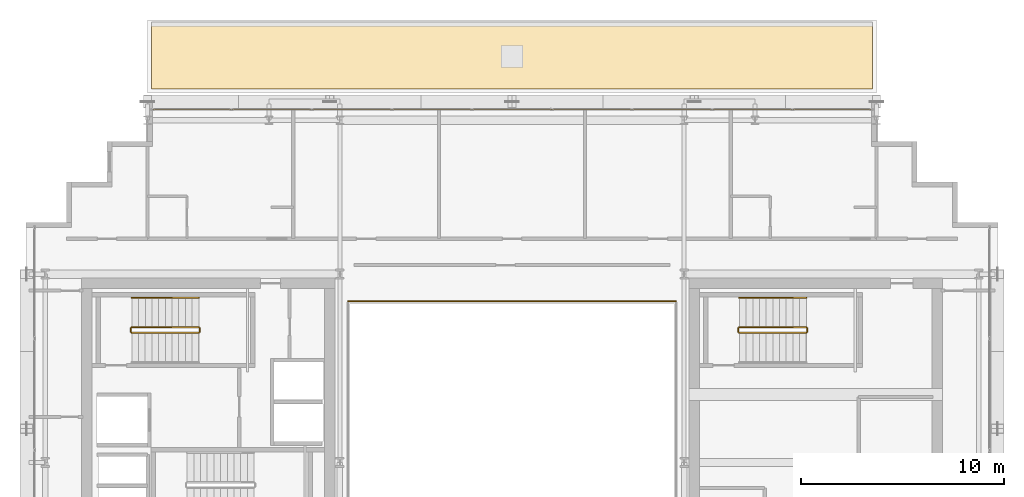
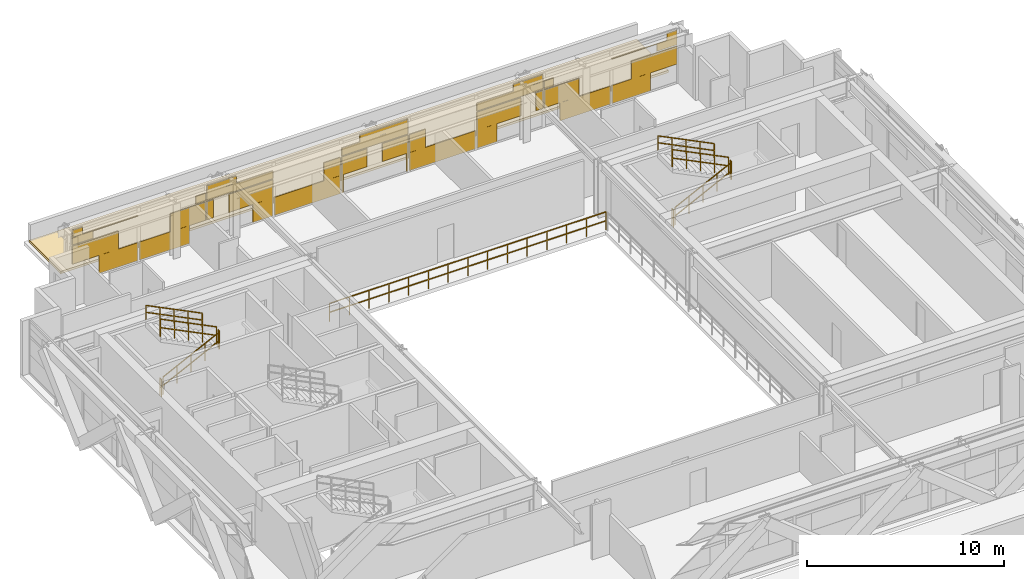
# One storey, part 34 of 34: 11 railings, 2 coverings.
"""IFC4 building model written with IfcOpenShell, lengths in metres."""

from ifc_helpers import new_model, si_unit, direction, frame, origin, origin_2d, place, context, subcontext, project, spatial, polyline, rectangle, outline, extrude, material, layer, layer_set, type_object, element, save


model = new_model("IFC4")

# Units and contexts
model_context = context("Model", 3, precision=1e-05, world=origin(), true_north=direction((0.0, 1.0)))
body_context = subcontext(model_context, "Body", "Model", "MODEL_VIEW")
ifc_project = project(units=[si_unit("LENGTHUNIT", "METRE"), si_unit("AREAUNIT", "SQUARE_METRE"), si_unit("VOLUMEUNIT", "CUBIC_METRE"), si_unit("PLANEANGLEUNIT", "RADIAN"), si_unit("MASSUNIT", "GRAM", prefix="KILO")], contexts=[model_context])

# Site, building, storey
site_placement = place(None, origin())
site = spatial("IfcSite", under=ifc_project, at=site_placement, CompositionType="ELEMENT")
building_placement = place(site_placement, origin())
building = spatial("IfcBuilding", under=site, at=building_placement, Name="Ocotamira Hotel", CompositionType="ELEMENT")
storey_placement = place(building_placement, frame((0.0, 0.0, 163.199951171875)))
storey = spatial("IfcBuildingStorey", under=building, at=storey_placement, Name="L40", CompositionType="ELEMENT", Elevation=163.199951171875)

# Coverings
ifc_material_1 = material(Name="Insulated pale-metal aluminium spandrel panel", Category="aluminium")
ifc_layer_1 = layer(ifc_material_1, 0.044921875)
ifc_layer_set_1 = layer_set([ifc_layer_1], Name="Insulated pale-metal aluminium spandrel panel")
covering_type_1 = type_object("IfcCoveringType", Name="COV-INFILL-45", PredefinedType="CLADDING", material=ifc_layer_set_1)
covering_1_placement = place(storey_placement, origin())
element("IfcCovering", 1, at=covering_1_placement, inside=storey, type_object=covering_type_1, Name="L40 Curtain Wall Infill CW-4 CW-L40-N", PredefinedType="CLADDING", context=body_context, shape_type="SweptSolid", body=[
    extrude(rectangle(XDim=2.68701171875, YDim=0.044921875, at=origin_2d()), frame((15.6240234375, 45.580078125, 1.1943359375), z_axis=(0.0, 0.0, 1.0), x_axis=(1.0, 0.0, 0.0)), (0.0, 0.0, 1.0), 1.11767578125),
    extrude(rectangle(XDim=2.26708984375, YDim=0.044921875, at=origin_2d()), frame((16.9814453125, 45.580078125, 0.07568359375), z_axis=(0.0, 0.0, 1.0), x_axis=(1.0, 0.0, 0.0)), (0.0, 0.0, 1.0), 1.117919921875),
    extrude(rectangle(XDim=1.19482421875, YDim=0.044921875, at=origin_2d()), frame((14.8779296875, 45.580078125, 2.38818359375), z_axis=(0.0, 0.0, 1.0), x_axis=(1.0, 0.0, 0.0)), (0.0, 0.0, 1.0), 0.442626953125),
    extrude(rectangle(XDim=3.834716796875, YDim=0.044921875, at=origin_2d()), frame((16.19775390625, 45.580078125, 2.83154296875), z_axis=(0.0, 0.0, 1.0), x_axis=(1.0, 0.0, 0.0)), (0.0, 0.0, 1.0), 0.0302734375),
    extrude(rectangle(XDim=0.601318359375, YDim=0.044921875, at=origin_2d()), frame((14.581298828125, 45.580078125, 2.863037109375), z_axis=(0.0, 0.0, 1.0), x_axis=(1.0, 0.0, 0.0)), (0.0, 0.0, 1.0), 0.431640625),
    extrude(rectangle(XDim=2.955810546875, YDim=0.044921875, at=origin_2d()), frame((19.674072265625, 45.580078125, 0.07568359375), z_axis=(0.0, 0.0, 1.0), x_axis=(1.0, 0.0, 0.0)), (0.0, 0.0, 1.0), 1.117919921875),
    extrude(rectangle(XDim=2.0380859375, YDim=0.044921875, at=origin_2d()), frame((21.051513671875, 45.580078125, 1.1943359375), z_axis=(0.0, 0.0, 1.0), x_axis=(1.0, 0.0, 0.0)), (0.0, 0.0, 1.0), 1.11767578125),
    extrude(rectangle(XDim=0.5458984375, YDim=0.044921875, at=origin_2d()), frame((21.797607421875, 45.580078125, 2.38818359375), z_axis=(0.0, 0.0, 1.0), x_axis=(1.0, 0.0, 0.0)), (0.0, 0.0, 1.0), 0.473876953125),
    extrude(rectangle(XDim=0.398681640625, YDim=0.044921875, at=origin_2d()), frame((22.35107421875, 45.580078125, 1.1943359375), z_axis=(0.0, 0.0, 1.0), x_axis=(1.0, 0.0, 0.0)), (0.0, 0.0, 1.0), 1.11767578125),
    extrude(rectangle(XDim=2.57666015625, YDim=0.044921875, at=origin_2d()), frame((24.73779296875, 45.580078125, 1.1943359375), z_axis=(0.0, 0.0, 1.0), x_axis=(1.0, 0.0, 0.0)), (0.0, 0.0, 1.0), 1.11767578125),
    extrude(rectangle(XDim=1.177978515625, YDim=0.044921875, at=origin_2d()), frame((25.43701171875, 45.580078125, 0.07568359375), z_axis=(0.0, 0.0, 1.0), x_axis=(1.0, 0.0, 0.0)), (0.0, 0.0, 1.0), 1.117919921875),
    extrude(rectangle(XDim=3.87451171875, YDim=0.044921875, at=origin_2d()), frame((24.0888671875, 45.580078125, 2.38818359375), z_axis=(0.0, 0.0, 1.0), x_axis=(1.0, 0.0, 0.0)), (0.0, 0.0, 1.0), 0.473876953125),
    extrude(rectangle(XDim=1.730224609375, YDim=0.044921875, at=origin_2d()), frame((23.0166015625, 45.580078125, 2.863037109375), z_axis=(0.0, 0.0, 1.0), x_axis=(1.0, 0.0, 0.0)), (0.0, 0.0, 1.0), 0.431640625),
    extrude(rectangle(XDim=3.87451171875, YDim=0.044921875, at=origin_2d()), frame((28.04443359375, 45.580078125, 0.07568359375), z_axis=(0.0, 0.0, 1.0), x_axis=(1.0, 0.0, 0.0)), (0.0, 0.0, 1.0), 1.117919921875),
    extrude(rectangle(XDim=0.94921875, YDim=0.044921875, at=origin_2d()), frame((29.507080078125, 45.580078125, 1.1943359375), z_axis=(0.0, 0.0, 1.0), x_axis=(1.0, 0.0, 0.0)), (0.0, 0.0, 1.0), 1.11767578125),
    extrude(rectangle(XDim=0.089111328125, YDim=0.044921875, at=origin_2d()), frame((30.107421875, 45.580078125, 0.07568359375), z_axis=(0.0, 0.0, 1.0), x_axis=(1.0, 0.0, 0.0)), (0.0, 0.0, 1.0), 1.117919921875),
    extrude(rectangle(XDim=1.48779296875, YDim=0.044921875, at=origin_2d()), frame((30.806640625, 45.580078125, 1.1943359375), z_axis=(0.0, 0.0, 1.0), x_axis=(1.0, 0.0, 0.0)), (0.0, 0.0, 1.0), 1.11767578125),
    extrude(rectangle(XDim=1.48779296875, YDim=0.044921875, at=origin_2d()), frame((33.193359375, 45.580078125, 1.1943359375), z_axis=(0.0, 0.0, 1.0), x_axis=(1.0, 0.0, 0.0)), (0.0, 0.0, 1.0), 1.11767578125),
    extrude(rectangle(XDim=0.089111328125, YDim=0.044921875, at=origin_2d()), frame((33.892578125, 45.580078125, 0.07568359375), z_axis=(0.0, 0.0, 1.0), x_axis=(1.0, 0.0, 0.0)), (0.0, 0.0, 1.0), 1.117919921875),
    extrude(rectangle(XDim=3.87451171875, YDim=0.044921875, at=origin_2d()), frame((32.0, 45.580078125, 2.38818359375), z_axis=(0.0, 0.0, 1.0), x_axis=(1.0, 0.0, 0.0)), (0.0, 0.0, 1.0), 0.473876953125),
    extrude(rectangle(XDim=2.819091796875, YDim=0.044921875, at=origin_2d()), frame((32.527587890625, 45.580078125, 2.863037109375), z_axis=(0.0, 0.0, 1.0), x_axis=(1.0, 0.0, 0.0)), (0.0, 0.0, 1.0), 0.431640625),
    extrude(rectangle(XDim=3.87451171875, YDim=0.044921875, at=origin_2d()), frame((35.95556640625, 45.580078125, 0.07568359375), z_axis=(0.0, 0.0, 1.0), x_axis=(1.0, 0.0, 0.0)), (0.0, 0.0, 1.0), 1.117919921875),
    extrude(rectangle(XDim=0.94921875, YDim=0.044921875, at=origin_2d()), frame((34.492919921875, 45.580078125, 1.1943359375), z_axis=(0.0, 0.0, 1.0), x_axis=(1.0, 0.0, 0.0)), (0.0, 0.0, 1.0), 1.11767578125),
    extrude(rectangle(XDim=1.177978515625, YDim=0.044921875, at=origin_2d()), frame((38.56298828125, 45.580078125, 0.07568359375), z_axis=(0.0, 0.0, 1.0), x_axis=(1.0, 0.0, 0.0)), (0.0, 0.0, 1.0), 1.117919921875),
    extrude(rectangle(XDim=2.57666015625, YDim=0.044921875, at=origin_2d()), frame((39.26220703125, 45.580078125, 1.1943359375), z_axis=(0.0, 0.0, 1.0), x_axis=(1.0, 0.0, 0.0)), (0.0, 0.0, 1.0), 1.11767578125),
    extrude(rectangle(XDim=0.398681640625, YDim=0.044921875, at=origin_2d()), frame((41.64892578125, 45.580078125, 1.1943359375), z_axis=(0.0, 0.0, 1.0), x_axis=(1.0, 0.0, 0.0)), (0.0, 0.0, 1.0), 1.11767578125),
    extrude(rectangle(XDim=3.87451171875, YDim=0.044921875, at=origin_2d()), frame((39.9111328125, 45.580078125, 2.38818359375), z_axis=(0.0, 0.0, 1.0), x_axis=(1.0, 0.0, 0.0)), (0.0, 0.0, 1.0), 0.473876953125),
    extrude(rectangle(XDim=1.730224609375, YDim=0.044921875, at=origin_2d()), frame((40.9833984375, 45.580078125, 2.863037109375), z_axis=(0.0, 0.0, 1.0), x_axis=(1.0, 0.0, 0.0)), (0.0, 0.0, 1.0), 0.431640625),
    extrude(rectangle(XDim=2.0380859375, YDim=0.044921875, at=origin_2d()), frame((42.948486328125, 45.580078125, 1.1943359375), z_axis=(0.0, 0.0, 1.0), x_axis=(1.0, 0.0, 0.0)), (0.0, 0.0, 1.0), 1.11767578125),
    extrude(rectangle(XDim=2.955810546875, YDim=0.044921875, at=origin_2d()), frame((44.325927734375, 45.580078125, 0.07568359375), z_axis=(0.0, 0.0, 1.0), x_axis=(1.0, 0.0, 0.0)), (0.0, 0.0, 1.0), 1.117919921875),
    extrude(rectangle(XDim=0.5458984375, YDim=0.044921875, at=origin_2d()), frame((42.202392578125, 45.580078125, 2.38818359375), z_axis=(0.0, 0.0, 1.0), x_axis=(1.0, 0.0, 0.0)), (0.0, 0.0, 1.0), 0.473876953125),
    extrude(rectangle(XDim=2.26708984375, YDim=0.044921875, at=origin_2d()), frame((47.0185546875, 45.580078125, 0.07568359375), z_axis=(0.0, 0.0, 1.0), x_axis=(1.0, 0.0, 0.0)), (0.0, 0.0, 1.0), 1.117919921875),
    extrude(rectangle(XDim=2.68701171875, YDim=0.044921875, at=origin_2d()), frame((48.3759765625, 45.580078125, 1.1943359375), z_axis=(0.0, 0.0, 1.0), x_axis=(1.0, 0.0, 0.0)), (0.0, 0.0, 1.0), 1.11767578125),
    extrude(rectangle(XDim=3.834716796875, YDim=0.044921875, at=origin_2d()), frame((47.80224609375, 45.580078125, 2.83154296875), z_axis=(0.0, 0.0, 1.0), x_axis=(1.0, 0.0, 0.0)), (0.0, 0.0, 1.0), 0.0302734375),
    extrude(rectangle(XDim=1.19482421875, YDim=0.044921875, at=origin_2d()), frame((49.1220703125, 45.580078125, 2.38818359375), z_axis=(0.0, 0.0, 1.0), x_axis=(1.0, 0.0, 0.0)), (0.0, 0.0, 1.0), 0.442626953125),
    extrude(rectangle(XDim=0.601318359375, YDim=0.044921875, at=origin_2d()), frame((49.418701171875, 45.580078125, 2.863037109375), z_axis=(0.0, 0.0, 1.0), x_axis=(1.0, 0.0, 0.0)), (0.0, 0.0, 1.0), 0.431640625),
])
ifc_material_2 = material(Name="High-albedo cool-roof elastomeric membrane and polyiso insulation", Category="concrete")
ifc_layer_2 = layer(ifc_material_2, 0.139892578125)
ifc_layer_set_2 = layer_set([ifc_layer_2], Name="High-albedo cool-roof elastomeric membrane and polyiso insulation")
covering_type_2 = type_object("IfcCoveringType", Name="COV-ROOF-140", PredefinedType="ROOFING", material=ifc_layer_set_2)
covering_2_placement = place(storey_placement, origin())
element("IfcCovering", 2, at=covering_2_placement, inside=storey, type_object=covering_type_2, Name="L40 Cool-Roof Membrane Z3N", PredefinedType="ROOFING", context=body_context, shape_type="SweptSolid", body=[
    extrude(outline(polyline([(14.199951171875, 46.60009765625), (49.800048828125, 46.60009765625), (49.800048828125, 49.800048828125), (14.199951171875, 49.800048828125), (14.199951171875, 46.60009765625)])), origin(), (0.0, 0.0, 1.0), 0.14013671875),
])

# Railings
ifc_material_3 = material(Name="Painted steel stair guardrail", Category="steel")
railing_type_1 = type_object("IfcRailingType", Name="RL-EDGE-1150", PredefinedType="GUARDRAIL", material=ifc_material_3)
railing_1_placement = place(storey_placement, frame((40.10009765625, 36.1201171875, 0.0)))
element("IfcRailing", 3, at=railing_1_placement, inside=storey, type_object=railing_type_1, Name="L40 Central Atrium Edge Guardrail N", PredefinedType="GUARDRAIL", context=body_context, shape_type="SweptSolid", body=[
    extrude(rectangle(XDim=0.048095703125, YDim=0.048095703125, at=origin_2d()), frame((0.0, 0.0, 1.1259765625), z_axis=(-1.0, 0.0, 0.0), x_axis=(0.0, -1.0, 0.0)), (0.0, 0.0, 1.0), 16.2001953125),
    extrude(rectangle(XDim=0.048095703125, YDim=0.048095703125, at=origin_2d()), frame((0.0, 0.0, 0.574951171875), z_axis=(-1.0, 0.0, 0.0), x_axis=(0.0, -1.0, 0.0)), (0.0, 0.0, 1.0), 16.2001953125),
    extrude(rectangle(XDim=0.0419921875, YDim=0.0419921875, at=origin_2d()), origin(), (0.0, 0.0, 1.0), 1.101806640625),
    extrude(rectangle(XDim=0.0419921875, YDim=0.0419921875, at=origin_2d()), frame((-1.1572265625, 0.0, 0.0)), (0.0, 0.0, 1.0), 1.101806640625),
    extrude(rectangle(XDim=0.0419921875, YDim=0.0419921875, at=origin_2d()), frame((-2.314208984375, 0.0, 0.0)), (0.0, 0.0, 1.0), 1.101806640625),
    extrude(rectangle(XDim=0.0419921875, YDim=0.0419921875, at=origin_2d()), frame((-3.471435546875, 0.0, 0.0)), (0.0, 0.0, 1.0), 1.101806640625),
    extrude(rectangle(XDim=0.0419921875, YDim=0.0419921875, at=origin_2d()), frame((-4.628662109375, 0.0, 0.0)), (0.0, 0.0, 1.0), 1.101806640625),
    extrude(rectangle(XDim=0.0419921875, YDim=0.0419921875, at=origin_2d()), frame((-5.785888671875, 0.0, 0.0)), (0.0, 0.0, 1.0), 1.101806640625),
    extrude(rectangle(XDim=0.0419921875, YDim=0.0419921875, at=origin_2d()), frame((-6.94287109375, 0.0, 0.0)), (0.0, 0.0, 1.0), 1.101806640625),
    extrude(rectangle(XDim=0.0419921875, YDim=0.0419921875, at=origin_2d()), frame((-8.10009765625, 0.0, 0.0)), (0.0, 0.0, 1.0), 1.101806640625),
    extrude(rectangle(XDim=0.0419921875, YDim=0.0419921875, at=origin_2d()), frame((-9.25732421875, 0.0, 0.0)), (0.0, 0.0, 1.0), 1.101806640625),
    extrude(rectangle(XDim=0.0419921875, YDim=0.0419921875, at=origin_2d()), frame((-10.414306640625, 0.0, 0.0)), (0.0, 0.0, 1.0), 1.101806640625),
    extrude(rectangle(XDim=0.0419921875, YDim=0.0419921875, at=origin_2d()), frame((-11.571533203125, 0.0, 0.0)), (0.0, 0.0, 1.0), 1.101806640625),
    extrude(rectangle(XDim=0.0419921875, YDim=0.0419921875, at=origin_2d()), frame((-12.728759765625, 0.0, 0.0)), (0.0, 0.0, 1.0), 1.101806640625),
    extrude(rectangle(XDim=0.0419921875, YDim=0.0419921875, at=origin_2d()), frame((-13.885986328125, 0.0, 0.0)), (0.0, 0.0, 1.0), 1.101806640625),
    extrude(rectangle(XDim=0.0419921875, YDim=0.0419921875, at=origin_2d()), frame((-15.04296875, 0.0, 0.0)), (0.0, 0.0, 1.0), 1.101806640625),
    extrude(rectangle(XDim=0.0419921875, YDim=0.0419921875, at=origin_2d()), frame((-16.2001953125, 0.0, 0.0)), (0.0, 0.0, 1.0), 1.101806640625),
])
ifc_material_4 = material(Name="Brushed stainless steel handrail", Category="steel")
railing_type_2 = type_object("IfcRailingType", Name="RL-HAND-900", PredefinedType="HANDRAIL", material=ifc_material_4)
for number, where, name in (
    (4, (16.530029296875, 36.280029296875, 2.12744140625), "L40 ST-2 stair handrail 2"),
    (5, (46.530029296875, 36.280029296875, 2.12744140625), "L40 ST-4 stair handrail 2"),
):
    element("IfcRailing", number, at=place(storey_placement, frame(where)), inside=storey, type_object=railing_type_2, Name=name, PredefinedType="HANDRAIL", context=body_context, shape_type="SweptSolid", body=[
        extrude(rectangle(XDim=0.048095703125, YDim=0.048095703125, at=origin_2d()), frame((0.0, 0.0, 0.8759765625), z_axis=(-0.895920123917, 0.0, 0.444215186098), x_axis=(0.0, -1.0, 0.0)), (0.0, 0.0, 1.0), 3.683349609375),
        extrude(rectangle(XDim=0.048095703125, YDim=0.048095703125, at=origin_2d()), frame((0.0, 0.0, 0.449951171875), z_axis=(-0.895920123917, 0.0, 0.444215186098), x_axis=(0.0, -1.0, 0.0)), (0.0, 0.0, 1.0), 3.683349609375),
        extrude(rectangle(XDim=0.0419921875, YDim=0.0419921875, at=origin_2d()), origin(), (0.0, 0.0, 1.0), 0.851806640625),
        extrude(rectangle(XDim=0.0419921875, YDim=0.0419921875, at=origin_2d()), frame((-0.824951171875, 0.0, 0.4091796875)), (0.0, 0.0, 1.0), 0.851806640625),
        extrude(rectangle(XDim=0.0419921875, YDim=0.0419921875, at=origin_2d()), frame((-1.64990234375, 0.0, 0.818115234375)), (0.0, 0.0, 1.0), 0.851806640625),
        extrude(rectangle(XDim=0.0419921875, YDim=0.0419921875, at=origin_2d()), frame((-2.47509765625, 0.0, 1.22705078125)), (0.0, 0.0, 1.0), 0.851806640625),
        extrude(rectangle(XDim=0.0419921875, YDim=0.0419921875, at=origin_2d()), frame((-3.300048828125, 0.0, 1.63623046875)), (0.0, 0.0, 1.0), 0.851806640625),
    ])
railing_type_3 = type_object("IfcRailingType", Name="RL-STAIR-1100", PredefinedType="GUARDRAIL", material=ifc_material_3)
railing_2_placement = place(storey_placement, frame((13.22998046875, 34.56005859375, 0.16357421875)))
element("IfcRailing", 6, at=railing_2_placement, inside=storey, type_object=railing_type_3, Name="L40 ST-2 stair guard 1", PredefinedType="GUARDRAIL", context=body_context, shape_type="SweptSolid", body=[
    extrude(rectangle(XDim=0.048095703125, YDim=0.048095703125, at=origin_2d()), frame((0.0, 0.0, 1.076171875), z_axis=(0.895893744519, 0.0, 0.4442683857), x_axis=(0.0, 1.0, 0.0)), (0.0, 0.0, 1.0), 3.68359375),
    extrude(rectangle(XDim=0.048095703125, YDim=0.048095703125, at=origin_2d()), frame((0.0, 0.0, 0.550048828125), z_axis=(0.895893744519, 0.0, 0.4442683857), x_axis=(0.0, 1.0, 0.0)), (0.0, 0.0, 1.0), 3.68359375),
    extrude(rectangle(XDim=0.0419921875, YDim=0.0419921875, at=origin_2d()), origin(), (0.0, 0.0, 1.0), 1.052001953125),
    extrude(rectangle(XDim=0.0419921875, YDim=0.0419921875, at=origin_2d()), frame((0.824951171875, 0.0, 0.4091796875)), (0.0, 0.0, 1.0), 1.052001953125),
    extrude(rectangle(XDim=0.0419921875, YDim=0.0419921875, at=origin_2d()), frame((1.64990234375, 0.0, 0.818359375)), (0.0, 0.0, 1.0), 1.052001953125),
    extrude(rectangle(XDim=0.0419921875, YDim=0.0419921875, at=origin_2d()), frame((2.47509765625, 0.0, 1.227294921875)), (0.0, 0.0, 1.0), 1.052001953125),
    extrude(rectangle(XDim=0.0419921875, YDim=0.0419921875, at=origin_2d()), frame((3.300048828125, 0.0, 1.636474609375)), (0.0, 0.0, 1.0), 1.052001953125),
])
railing_3_placement = place(storey_placement, frame((16.580078125, 34.610107421875, 1.800048828125)))
element("IfcRailing", 7, at=railing_3_placement, inside=storey, type_object=railing_type_3, Name="L40 ST-2 stair guard 2", PredefinedType="GUARDRAIL", context=body_context, shape_type="SweptSolid", body=[
    extrude(rectangle(XDim=0.048095703125, YDim=0.048095703125, at=origin_2d()), frame((0.0, 0.0, 1.076171875), z_axis=(0.0, 1.0, 0.0), x_axis=(-1.0, 0.0, 0.0)), (0.0, 0.0, 1.0), 0.159912109375),
    extrude(rectangle(XDim=0.048095703125, YDim=0.048095703125, at=origin_2d()), frame((0.0, 0.0, 0.550048828125), z_axis=(0.0, 1.0, 0.0), x_axis=(-1.0, 0.0, 0.0)), (0.0, 0.0, 1.0), 0.159912109375),
    extrude(rectangle(XDim=0.0419921875, YDim=0.0419921875, at=origin_2d()), origin(), (0.0, 0.0, 1.0), 1.052001953125),
    extrude(rectangle(XDim=0.0419921875, YDim=0.0419921875, at=origin_2d()), frame((0.0, 0.159912109375, 0.0)), (0.0, 0.0, 1.0), 1.052001953125),
])
railing_4_placement = place(storey_placement, frame((16.530029296875, 34.820068359375, 1.963623046875)))
element("IfcRailing", 8, at=railing_4_placement, inside=storey, type_object=railing_type_3, Name="L40 ST-2 stair guard 3", PredefinedType="GUARDRAIL", context=body_context, shape_type="SweptSolid", body=[
    extrude(rectangle(XDim=0.048095703125, YDim=0.048095703125, at=origin_2d()), frame((0.0, 0.0, 1.076171875), z_axis=(-0.895893744519, 0.0, 0.4442683857), x_axis=(0.0, -1.0, 0.0)), (0.0, 0.0, 1.0), 3.68359375),
    extrude(rectangle(XDim=0.048095703125, YDim=0.048095703125, at=origin_2d()), frame((0.0, 0.0, 0.550048828125), z_axis=(-0.895893744519, 0.0, 0.4442683857), x_axis=(0.0, -1.0, 0.0)), (0.0, 0.0, 1.0), 3.68359375),
    extrude(rectangle(XDim=0.0419921875, YDim=0.0419921875, at=origin_2d()), origin(), (0.0, 0.0, 1.0), 1.052001953125),
    extrude(rectangle(XDim=0.0419921875, YDim=0.0419921875, at=origin_2d()), frame((-0.824951171875, 0.0, 0.4091796875)), (0.0, 0.0, 1.0), 1.052001953125),
    extrude(rectangle(XDim=0.0419921875, YDim=0.0419921875, at=origin_2d()), frame((-1.64990234375, 0.0, 0.818359375)), (0.0, 0.0, 1.0), 1.052001953125),
    extrude(rectangle(XDim=0.0419921875, YDim=0.0419921875, at=origin_2d()), frame((-2.47509765625, 0.0, 1.227294921875)), (0.0, 0.0, 1.0), 1.052001953125),
    extrude(rectangle(XDim=0.0419921875, YDim=0.0419921875, at=origin_2d()), frame((-3.300048828125, 0.0, 1.636474609375)), (0.0, 0.0, 1.0), 1.052001953125),
])
railing_5_placement = place(storey_placement, frame((13.179931640625, 34.610107421875, 0.0)))
element("IfcRailing", 9, at=railing_5_placement, inside=storey, type_object=railing_type_3, Name="L40 ST-2 stair guard 4", PredefinedType="GUARDRAIL", context=body_context, shape_type="SweptSolid", body=[
    extrude(rectangle(XDim=0.048095703125, YDim=0.048095703125, at=origin_2d()), frame((0.0, 0.0, 1.076171875), z_axis=(0.0, 1.0, 0.0), x_axis=(-1.0, 0.0, 0.0)), (0.0, 0.0, 1.0), 0.159912109375),
    extrude(rectangle(XDim=0.048095703125, YDim=0.048095703125, at=origin_2d()), frame((0.0, 0.0, 0.550048828125), z_axis=(0.0, 1.0, 0.0), x_axis=(-1.0, 0.0, 0.0)), (0.0, 0.0, 1.0), 0.159912109375),
    extrude(rectangle(XDim=0.0419921875, YDim=0.0419921875, at=origin_2d()), origin(), (0.0, 0.0, 1.0), 1.052001953125),
    extrude(rectangle(XDim=0.0419921875, YDim=0.0419921875, at=origin_2d()), frame((0.0, 0.159912109375, 0.0)), (0.0, 0.0, 1.0), 1.052001953125),
])
railing_6_placement = place(storey_placement, frame((43.22998046875, 34.56005859375, 0.16357421875)))
element("IfcRailing", 10, at=railing_6_placement, inside=storey, type_object=railing_type_3, Name="L40 ST-4 stair guard 1", PredefinedType="GUARDRAIL", context=body_context, shape_type="SweptSolid", body=[
    extrude(rectangle(XDim=0.048095703125, YDim=0.048095703125, at=origin_2d()), frame((0.0, 0.0, 1.076171875), z_axis=(0.895893744519, 0.0, 0.4442683857), x_axis=(0.0, 1.0, 0.0)), (0.0, 0.0, 1.0), 3.68359375),
    extrude(rectangle(XDim=0.048095703125, YDim=0.048095703125, at=origin_2d()), frame((0.0, 0.0, 0.550048828125), z_axis=(0.895893744519, 0.0, 0.4442683857), x_axis=(0.0, 1.0, 0.0)), (0.0, 0.0, 1.0), 3.68359375),
    extrude(rectangle(XDim=0.0419921875, YDim=0.0419921875, at=origin_2d()), origin(), (0.0, 0.0, 1.0), 1.052001953125),
    extrude(rectangle(XDim=0.0419921875, YDim=0.0419921875, at=origin_2d()), frame((0.824951171875, 0.0, 0.4091796875)), (0.0, 0.0, 1.0), 1.052001953125),
    extrude(rectangle(XDim=0.0419921875, YDim=0.0419921875, at=origin_2d()), frame((1.64990234375, 0.0, 0.818359375)), (0.0, 0.0, 1.0), 1.052001953125),
    extrude(rectangle(XDim=0.0419921875, YDim=0.0419921875, at=origin_2d()), frame((2.47509765625, 0.0, 1.227294921875)), (0.0, 0.0, 1.0), 1.052001953125),
    extrude(rectangle(XDim=0.0419921875, YDim=0.0419921875, at=origin_2d()), frame((3.300048828125, 0.0, 1.636474609375)), (0.0, 0.0, 1.0), 1.052001953125),
])
railing_7_placement = place(storey_placement, frame((46.580078125, 34.610107421875, 1.800048828125)))
element("IfcRailing", 11, at=railing_7_placement, inside=storey, type_object=railing_type_3, Name="L40 ST-4 stair guard 2", PredefinedType="GUARDRAIL", context=body_context, shape_type="SweptSolid", body=[
    extrude(rectangle(XDim=0.048095703125, YDim=0.048095703125, at=origin_2d()), frame((0.0, 0.0, 1.076171875), z_axis=(0.0, 1.0, 0.0), x_axis=(-1.0, 0.0, 0.0)), (0.0, 0.0, 1.0), 0.159912109375),
    extrude(rectangle(XDim=0.048095703125, YDim=0.048095703125, at=origin_2d()), frame((0.0, 0.0, 0.550048828125), z_axis=(0.0, 1.0, 0.0), x_axis=(-1.0, 0.0, 0.0)), (0.0, 0.0, 1.0), 0.159912109375),
    extrude(rectangle(XDim=0.0419921875, YDim=0.0419921875, at=origin_2d()), origin(), (0.0, 0.0, 1.0), 1.052001953125),
    extrude(rectangle(XDim=0.0419921875, YDim=0.0419921875, at=origin_2d()), frame((0.0, 0.159912109375, 0.0)), (0.0, 0.0, 1.0), 1.052001953125),
])
railing_8_placement = place(storey_placement, frame((46.530029296875, 34.820068359375, 1.963623046875)))
element("IfcRailing", 12, at=railing_8_placement, inside=storey, type_object=railing_type_3, Name="L40 ST-4 stair guard 3", PredefinedType="GUARDRAIL", context=body_context, shape_type="SweptSolid", body=[
    extrude(rectangle(XDim=0.048095703125, YDim=0.048095703125, at=origin_2d()), frame((0.0, 0.0, 1.076171875), z_axis=(-0.895893744519, 0.0, 0.4442683857), x_axis=(0.0, -1.0, 0.0)), (0.0, 0.0, 1.0), 3.68359375),
    extrude(rectangle(XDim=0.048095703125, YDim=0.048095703125, at=origin_2d()), frame((0.0, 0.0, 0.550048828125), z_axis=(-0.895893744519, 0.0, 0.4442683857), x_axis=(0.0, -1.0, 0.0)), (0.0, 0.0, 1.0), 3.68359375),
    extrude(rectangle(XDim=0.0419921875, YDim=0.0419921875, at=origin_2d()), origin(), (0.0, 0.0, 1.0), 1.052001953125),
    extrude(rectangle(XDim=0.0419921875, YDim=0.0419921875, at=origin_2d()), frame((-0.824951171875, 0.0, 0.4091796875)), (0.0, 0.0, 1.0), 1.052001953125),
    extrude(rectangle(XDim=0.0419921875, YDim=0.0419921875, at=origin_2d()), frame((-1.64990234375, 0.0, 0.818359375)), (0.0, 0.0, 1.0), 1.052001953125),
    extrude(rectangle(XDim=0.0419921875, YDim=0.0419921875, at=origin_2d()), frame((-2.47509765625, 0.0, 1.227294921875)), (0.0, 0.0, 1.0), 1.052001953125),
    extrude(rectangle(XDim=0.0419921875, YDim=0.0419921875, at=origin_2d()), frame((-3.300048828125, 0.0, 1.636474609375)), (0.0, 0.0, 1.0), 1.052001953125),
])
railing_9_placement = place(storey_placement, frame((43.179931640625, 34.610107421875, 0.0)))
element("IfcRailing", 13, at=railing_9_placement, inside=storey, type_object=railing_type_3, Name="L40 ST-4 stair guard 4", PredefinedType="GUARDRAIL", context=body_context, shape_type="SweptSolid", body=[
    extrude(rectangle(XDim=0.048095703125, YDim=0.048095703125, at=origin_2d()), frame((0.0, 0.0, 1.076171875), z_axis=(0.0, 1.0, 0.0), x_axis=(-1.0, 0.0, 0.0)), (0.0, 0.0, 1.0), 0.159912109375),
    extrude(rectangle(XDim=0.048095703125, YDim=0.048095703125, at=origin_2d()), frame((0.0, 0.0, 0.550048828125), z_axis=(0.0, 1.0, 0.0), x_axis=(-1.0, 0.0, 0.0)), (0.0, 0.0, 1.0), 0.159912109375),
    extrude(rectangle(XDim=0.0419921875, YDim=0.0419921875, at=origin_2d()), origin(), (0.0, 0.0, 1.0), 1.052001953125),
    extrude(rectangle(XDim=0.0419921875, YDim=0.0419921875, at=origin_2d()), frame((0.0, 0.159912109375, 0.0)), (0.0, 0.0, 1.0), 1.052001953125),
])

save(model, "model.ifc")
